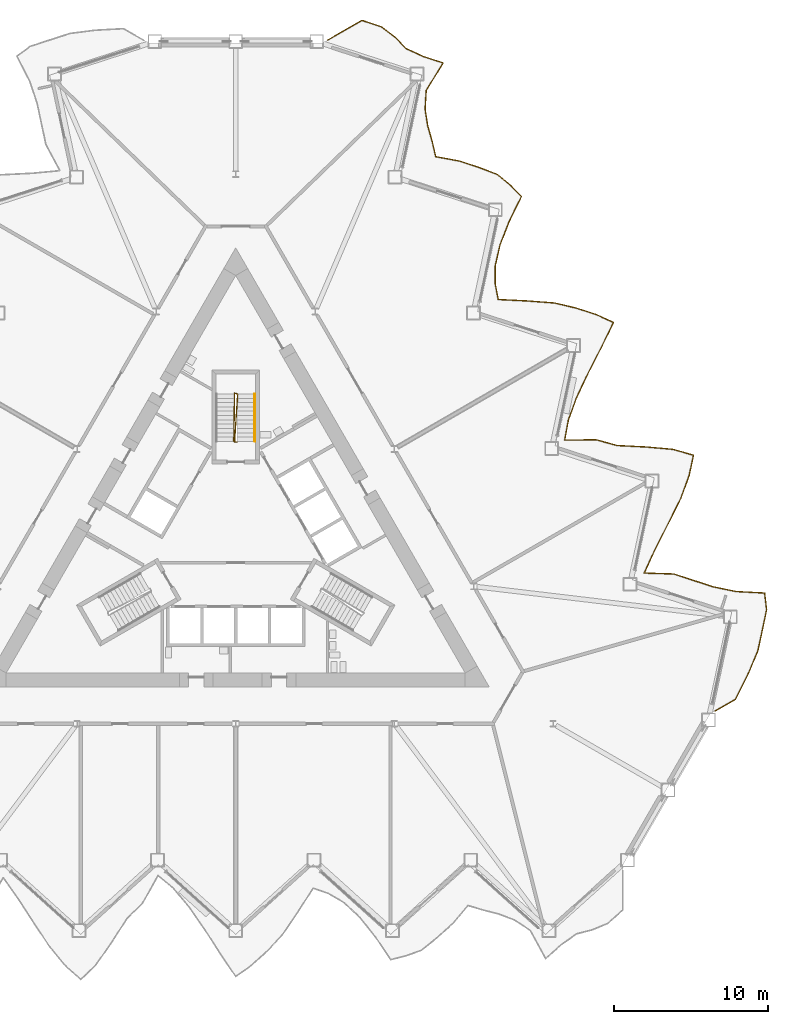
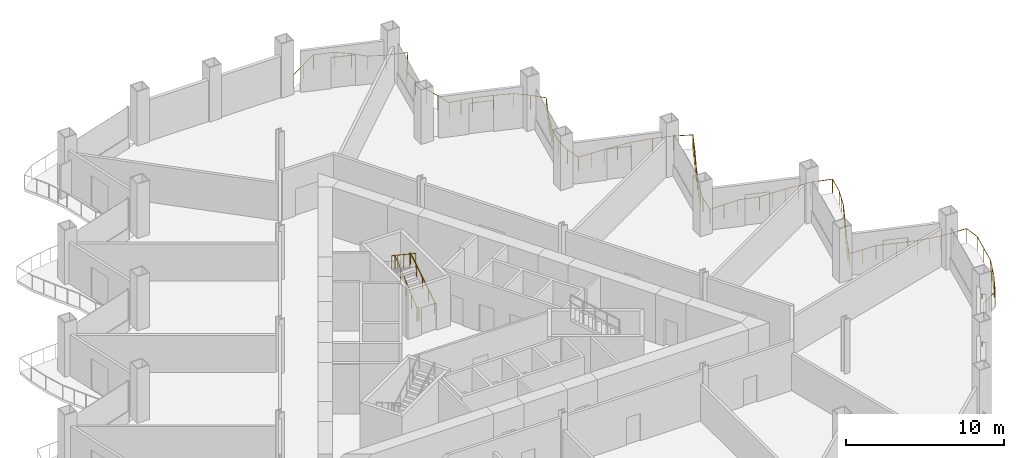
# One storey, part 19 of 21: 3 railings.
"""IFC4 building model written with IfcOpenShell, lengths in metres."""

from ifc_helpers import new_model, si_unit, direction, frame, origin, origin_2d, place, context, subcontext, project, spatial, circle, extrude, material, type_object, element, save


model = new_model("IFC4")

# Units and contexts
model_context = context("Model", 3, precision=1e-05, world=origin(), true_north=direction((0.0, 1.0)))
body_context = subcontext(model_context, "Body", "Model", "MODEL_VIEW")
ifc_project = project(units=[si_unit("LENGTHUNIT", "METRE"), si_unit("AREAUNIT", "SQUARE_METRE"), si_unit("VOLUMEUNIT", "CUBIC_METRE"), si_unit("PLANEANGLEUNIT", "RADIAN"), si_unit("MASSUNIT", "GRAM", prefix="KILO")], contexts=[model_context])

# Site, building, storey
site_placement = place(None, origin())
site = spatial("IfcSite", under=ifc_project, at=site_placement, CompositionType="ELEMENT")
building_placement = place(site_placement, origin())
building = spatial("IfcBuilding", under=site, at=building_placement, Name="Cormorant Prow Tower", CompositionType="ELEMENT")
storey_placement = place(building_placement, frame((0.0, 0.0, 129.0)))
storey = spatial("IfcBuildingStorey", under=building, at=storey_placement, Name="L27", CompositionType="ELEMENT", Elevation=129.0)

# Railings
ifc_material_1 = material(Name="Aluminium 6063-T6", Category="aluminium")
railing_type_1 = type_object("IfcRailingType", Name="Balcony guard 1100", PredefinedType="GUARDRAIL", material=ifc_material_1)
railing_1_placement = place(storey_placement, frame((31.207275390625, -11.1005859375, 0.0)))
element("IfcRailing", 1, at=railing_1_placement, inside=storey, type_object=railing_type_1, Name="Balcony guard ENE", PredefinedType="GUARDRAIL", context=body_context, shape_type="SweptSolid", body=[
    extrude(circle(Radius=0.02392578125, at=origin_2d()), frame((0.0, 0.0, 1.076171875), z_axis=(0.865990296034, 0.500060803479, 0.0), x_axis=(-0.500060803479, 0.865990296034, 0.0)), (0.0, 0.0, 1.0), 1.519775390625),
    extrude(circle(Radius=0.02392578125, at=origin_2d()), frame((1.316162109375, 0.760009765625, 1.076171875), z_axis=(0.451392924981, 0.892325292299, 0.0), x_axis=(-0.892325292299, 0.451392924981, 0.0)), (0.0, 0.0, 1.0), 1.84375),
    extrude(circle(Radius=0.02392578125, at=origin_2d()), frame((2.1484375, 2.4052734375, 1.076171875), z_axis=(0.385615377033, 0.922659623586, 0.0), x_axis=(-0.922659623586, 0.385615377033, 0.0)), (0.0, 0.0, 1.0), 1.663818359375),
    extrude(circle(Radius=0.02392578125, at=origin_2d()), frame((2.7900390625, 3.9404296875, 1.076171875), z_axis=(0.20793189794, 0.978143305359, 0.0), x_axis=(-0.978143305359, 0.20793189794, 0.0)), (0.0, 0.0, 1.0), 1.357421875),
    extrude(circle(Radius=0.02392578125, at=origin_2d()), frame((3.072265625, 5.26806640625, 1.076171875), z_axis=(0.20793189794, 0.978143305359, 0.0), x_axis=(-0.978143305359, 0.20793189794, 0.0)), (0.0, 0.0, 1.0), 1.357421875),
    extrude(circle(Radius=0.02392578125, at=origin_2d()), frame((3.3544921875, 6.595703125, 1.076171875), z_axis=(-0.119048700722, 0.992888416116, 0.0), x_axis=(-0.992888416116, -0.119048700722, 0.0)), (0.0, 0.0, 1.0), 1.09716796875),
    extrude(circle(Radius=0.02392578125, at=origin_2d()), frame((3.223876953125, 7.68505859375, 1.076171875), z_axis=(-0.998614548542, 0.052621131124, 0.0), x_axis=(-0.052621131124, -0.998614548542, 0.0)), (0.0, 0.0, 1.0), 1.851318359375),
    extrude(circle(Radius=0.02392578125, at=origin_2d()), frame((1.375244140625, 7.782470703125, 1.076171875), z_axis=(-0.979712782636, 0.200406745243, 0.0), x_axis=(-0.200406745243, -0.979712782636, 0.0)), (0.0, 0.0, 1.0), 1.520263671875),
    extrude(circle(Radius=0.02392578125, at=origin_2d()), frame((-0.1142578125, 8.087158203125, 1.076171875), z_axis=(-0.95106578465, 0.308988467857, 0.0), x_axis=(-0.308988467857, -0.95106578465, 0.0)), (0.0, 0.0, 1.0), 1.357421875),
    extrude(circle(Radius=0.02392578125, at=origin_2d()), frame((-1.4052734375, 8.506591796875, 1.076171875), z_axis=(-0.951048608924, 0.309041329701, 0.0), x_axis=(-0.309041329701, -0.951048608924, 0.0)), (0.0, 0.0, 1.0), 1.357177734375),
    extrude(circle(Radius=0.02392578125, at=origin_2d()), frame((-2.696044921875, 8.926025390625, 1.076171875), z_axis=(-0.999507836964, 0.031370110729, 0.0), x_axis=(-0.031370110729, -0.999507836964, 0.0)), (0.0, 0.0, 1.0), 1.91455078125),
    extrude(circle(Radius=0.02392578125, at=origin_2d()), frame((-4.609619140625, 8.986083984375, 1.076171875), z_axis=(0.415726590735, 0.90948963807, 0.0), x_axis=(-0.90948963807, 0.415726590735, 0.0)), (0.0, 0.0, 1.0), 1.739501953125),
    extrude(circle(Radius=0.02392578125, at=origin_2d()), frame((-3.886474609375, 10.568115234375, 1.076171875), z_axis=(0.45545157054, 0.890260561236, 0.0), x_axis=(-0.890260561236, 0.45545157054, 0.0)), (0.0, 0.0, 1.0), 1.85693359375),
    extrude(circle(Radius=0.02392578125, at=origin_2d()), frame((-3.040771484375, 12.22119140625, 1.076171875), z_axis=(0.445124600934, 0.895468642468, 0.0), x_axis=(-0.895468642468, 0.445124600934, 0.0)), (0.0, 0.0, 1.0), 1.82421875),
    extrude(circle(Radius=0.02392578125, at=origin_2d()), frame((-2.228759765625, 13.854736328125, 1.076171875), z_axis=(0.343401111987, 0.939188839524, 0.0), x_axis=(-0.939188839524, 0.343401111987, 0.0)), (0.0, 0.0, 1.0), 1.572021484375),
    extrude(circle(Radius=0.02392578125, at=origin_2d()), frame((-1.68896484375, 15.3310546875, 1.076171875), z_axis=(0.20793189794, 0.978143305359, 0.0), x_axis=(-0.978143305359, 0.20793189794, 0.0)), (0.0, 0.0, 1.0), 1.357421875),
    extrude(circle(Radius=0.02392578125, at=origin_2d()), frame((-1.40673828125, 16.65869140625, 1.076171875), z_axis=(-0.962318282404, 0.271925584215, 0.0), x_axis=(-0.271925584215, -0.962318282404, 0.0)), (0.0, 0.0, 1.0), 1.40771484375),
    extrude(circle(Radius=0.02392578125, at=origin_2d()), frame((-2.761474609375, 17.04150390625, 1.076171875), z_axis=(-0.996190400815, 0.087204846907, 0.0), x_axis=(-0.087204846907, -0.996190400815, 0.0)), (0.0, 0.0, 1.0), 1.758056640625),
    extrude(circle(Radius=0.02392578125, at=origin_2d()), frame((-4.512939453125, 17.19482421875, 1.076171875), z_axis=(-0.998782260805, 0.049335539945, 0.0), x_axis=(-0.049335539945, -0.998782260805, 0.0)), (0.0, 0.0, 1.0), 1.860595703125),
    extrude(circle(Radius=0.02392578125, at=origin_2d()), frame((-6.371337890625, 17.28662109375, 1.076171875), z_axis=(-0.96447330574, 0.264180321968, 0.0), x_axis=(-0.264180321968, -0.96447330574, 0.0)), (0.0, 0.0, 1.0), 1.41845703125),
    extrude(circle(Radius=0.02392578125, at=origin_2d()), frame((-7.739501953125, 17.661376953125, 1.076171875), z_axis=(-0.999948928032, -0.010106499273, 0.0), x_axis=(0.010106499273, -0.999948928032, 0.0)), (0.0, 0.0, 1.0), 2.05322265625),
    extrude(circle(Radius=0.02392578125, at=origin_2d()), frame((-9.792724609375, 17.640625, 1.076171875), z_axis=(0.182978187122, 0.983116973222, 0.0), x_axis=(-0.983116973222, 0.182978187122, 0.0)), (0.0, 0.0, 1.0), 1.32763671875),
    extrude(circle(Radius=0.02392578125, at=origin_2d()), frame((-9.5498046875, 18.94580078125, 1.076171875), z_axis=(0.342467233812, 0.939529772687, 0.0), x_axis=(-0.939529772687, 0.342467233812, 0.0)), (0.0, 0.0, 1.0), 1.56982421875),
    extrude(circle(Radius=0.02392578125, at=origin_2d()), frame((-9.01220703125, 20.420654296875, 1.076171875), z_axis=(0.42869500027, 0.903449277349, 0.0), x_axis=(-0.903449277349, 0.42869500027, 0.0)), (0.0, 0.0, 1.0), 1.775634765625),
    extrude(circle(Radius=0.02392578125, at=origin_2d()), frame((-8.2509765625, 22.02490234375, 1.076171875), z_axis=(0.457303588678, 0.889310647514, 0.0), x_axis=(-0.889310647514, 0.457303588678, 0.0)), (0.0, 0.0, 1.0), 1.86279296875),
    extrude(circle(Radius=0.02392578125, at=origin_2d()), frame((-7.399169921875, 23.681396484375, 1.076171875), z_axis=(0.436426755308, 0.899739788634, 0.0), x_axis=(-0.899739788634, 0.436426755308, 0.0)), (0.0, 0.0, 1.0), 1.7978515625),
    extrude(circle(Radius=0.02392578125, at=origin_2d()), frame((-6.614501953125, 25.299072265625, 1.076171875), z_axis=(-0.909642662794, 0.415391653773, 0.0), x_axis=(-0.415391653773, -0.909642662794, 0.0)), (0.0, 0.0, 1.0), 1.23828125),
    extrude(circle(Radius=0.02392578125, at=origin_2d()), frame((-7.740966796875, 25.8134765625, 1.076171875), z_axis=(-0.95106578465, 0.308988467857, 0.0), x_axis=(-0.308988467857, -0.95106578465, 0.0)), (0.0, 0.0, 1.0), 1.357421875),
    extrude(circle(Radius=0.02392578125, at=origin_2d()), frame((-9.031982421875, 26.23291015625, 1.076171875), z_axis=(-0.97374832443, 0.227627328475, 0.0), x_axis=(-0.227627328475, -0.97374832443, 0.0)), (0.0, 0.0, 1.0), 1.474853515625),
    extrude(circle(Radius=0.02392578125, at=origin_2d()), frame((-10.468017578125, 26.568603515625, 1.076171875), z_axis=(-0.997228200016, 0.074403743811, 0.0), x_axis=(-0.074403743811, -0.997228200016, 0.0)), (0.0, 0.0, 1.0), 1.79150390625),
    extrude(circle(Radius=0.02392578125, at=origin_2d()), frame((-12.254638671875, 26.701904296875, 1.076171875), z_axis=(-0.998830477716, 0.048349527257, 0.0), x_axis=(-0.048349527257, -0.998830477716, 0.0)), (0.0, 0.0, 1.0), 1.86328125),
    extrude(circle(Radius=0.02392578125, at=origin_2d()), frame((-14.11572265625, 26.7919921875, 1.076171875), z_axis=(-0.191359769009, 0.981519963528, 0.0), x_axis=(-0.981519963528, -0.191359769009, 0.0)), (0.0, 0.0, 1.0), 1.066650390625),
    extrude(circle(Radius=0.02392578125, at=origin_2d()), frame((-14.31982421875, 27.8388671875, 1.076171875), z_axis=(0.012277950627, 0.999924623123, 0.0), x_axis=(-0.999924623123, 0.012277950627, 0.0)), (0.0, 0.0, 1.0), 1.173095703125),
    extrude(circle(Radius=0.02392578125, at=origin_2d()), frame((-14.305419921875, 29.011962890625, 1.076171875), z_axis=(0.223214723197, 0.974769299552, 0.0), x_axis=(-0.974769299552, 0.223214723197, 0.0)), (0.0, 0.0, 1.0), 1.376953125),
    extrude(circle(Radius=0.02392578125, at=origin_2d()), frame((-13.998046875, 30.354248046875, 1.076171875), z_axis=(0.366291211804, 0.930500267681, 0.0), x_axis=(-0.930500267681, 0.366291211804, 0.0)), (0.0, 0.0, 1.0), 1.61962890625),
    extrude(circle(Radius=0.02392578125, at=origin_2d()), frame((-13.40478515625, 31.861328125, 1.076171875), z_axis=(0.439193160602, 0.898392657851, 0.0), x_axis=(-0.898392657851, 0.439193160602, 0.0)), (0.0, 0.0, 1.0), 1.80615234375),
    extrude(circle(Radius=0.02392578125, at=origin_2d()), frame((-12.611572265625, 33.48388671875, 1.076171875), z_axis=(-0.694791435855, 0.719211276791, 0.0), x_axis=(-0.719211276791, -0.694791435855, 0.0)), (0.0, 0.0, 1.0), 1.039794921875),
    extrude(circle(Radius=0.02392578125, at=origin_2d()), frame((-13.333984375, 34.231689453125, 1.076171875), z_axis=(-0.765754160623, 0.64313339634, 0.0), x_axis=(-0.64313339634, -0.765754160623, 0.0)), (0.0, 0.0, 1.0), 1.0732421875),
    extrude(circle(Radius=0.02392578125, at=origin_2d()), frame((-14.15576171875, 34.921875, 1.076171875), z_axis=(-0.93327766903, 0.359155666097, 0.0), x_axis=(-0.359155666097, -0.93327766903, 0.0)), (0.0, 0.0, 1.0), 1.296875),
    extrude(circle(Radius=0.02392578125, at=origin_2d()), frame((-15.3662109375, 35.3876953125, 1.076171875), z_axis=(-0.951048608924, 0.309041329701, 0.0), x_axis=(-0.309041329701, -0.951048608924, 0.0)), (0.0, 0.0, 1.0), 1.357177734375),
    extrude(circle(Radius=0.02392578125, at=origin_2d()), frame((-16.656982421875, 35.80712890625, 1.076171875), z_axis=(-0.983273667202, 0.182134278454, 0.0), x_axis=(-0.182134278454, -0.983273667202, 0.0)), (0.0, 0.0, 1.0), 1.553466796875),
    extrude(circle(Radius=0.02392578125, at=origin_2d()), frame((-18.1845703125, 36.090087890625, 1.076171875), z_axis=(-0.229969566072, 0.973197820939, 0.0), x_axis=(-0.973197820939, -0.229969566072, 0.0)), (0.0, 0.0, 1.0), 1.05322265625),
    extrude(circle(Radius=0.02392578125, at=origin_2d()), frame((-18.4267578125, 37.114990234375, 1.076171875), z_axis=(-0.272179004707, 0.962246636469, 0.0), x_axis=(-0.962246636469, -0.272179004707, 0.0)), (0.0, 0.0, 1.0), 1.04052734375),
    extrude(circle(Radius=0.02392578125, at=origin_2d()), frame((-18.7099609375, 38.1162109375, 1.076171875), z_axis=(-0.154941834834, 0.98792359412, 0.0), x_axis=(-0.98792359412, -0.154941834834, 0.0)), (0.0, 0.0, 1.0), 1.080810546875),
    extrude(circle(Radius=0.02392578125, at=origin_2d()), frame((-18.87744140625, 39.18408203125, 1.076171875), z_axis=(0.060178013957, 0.998187661032, 0.0), x_axis=(-0.998187661032, 0.060178013957, 0.0)), (0.0, 0.0, 1.0), 1.208984375),
    extrude(circle(Radius=0.02392578125, at=origin_2d()), frame((-18.8046875, 40.390869140625, 1.076171875), z_axis=(0.521173584421, 0.853450698577, 0.0), x_axis=(-0.853450698577, 0.521173584421, 0.0)), (0.0, 0.0, 1.0), 2.10791015625),
    extrude(circle(Radius=0.02392578125, at=origin_2d()), frame((-17.7060546875, 42.18994140625, 1.076171875), z_axis=(-0.95106578465, 0.308988467857, 0.0), x_axis=(-0.308988467857, -0.95106578465, 0.0)), (0.0, 0.0, 1.0), 1.357421875),
    extrude(circle(Radius=0.02392578125, at=origin_2d()), frame((-18.9970703125, 42.609375, 1.076171875), z_axis=(-0.90718713922, 0.420727339774, 0.0), x_axis=(-0.420727339774, -0.90718713922, 0.0)), (0.0, 0.0, 1.0), 1.233154296875),
    extrude(circle(Radius=0.02392578125, at=origin_2d()), frame((-20.11572265625, 43.128173828125, 1.076171875), z_axis=(-0.70110619683, 0.71305687064, 0.0), x_axis=(-0.71305687064, -0.70110619683, 0.0)), (0.0, 0.0, 1.0), 1.0419921875),
    extrude(circle(Radius=0.02392578125, at=origin_2d()), frame((-20.84619140625, 43.87109375, 1.076171875), z_axis=(-0.790629243767, 0.61229518935, 0.0), x_axis=(-0.61229518935, -0.790629243767, 0.0)), (0.0, 0.0, 1.0), 1.08984375),
    extrude(circle(Radius=0.02392578125, at=origin_2d()), frame((-21.707763671875, 44.538330078125, 1.076171875), z_axis=(-0.949582418545, 0.313517512095, 0.0), x_axis=(-0.313517512095, -0.949582418545, 0.0)), (0.0, 0.0, 1.0), 1.351806640625),
    extrude(circle(Radius=0.02392578125, at=origin_2d()), frame((-22.991455078125, 44.962158203125, 1.076171875), z_axis=(-0.86598941085, -0.50006233641, 0.0), x_axis=(0.50006233641, -0.86598941085, 0.0)), (0.0, 0.0, 1.0), 2.570068359375),
    extrude(circle(Radius=0.02099609375, at=origin_2d()), origin(), (0.0, 0.0, 1.0), 1.052001953125),
    extrude(circle(Radius=0.02099609375, at=origin_2d()), frame((0.658203125, 0.3798828125, 0.0)), (0.0, 0.0, 1.0), 1.052001953125),
    extrude(circle(Radius=0.02099609375, at=origin_2d()), frame((1.316162109375, 0.760009765625, 0.0)), (0.0, 0.0, 1.0), 1.052001953125),
    extrude(circle(Radius=0.02099609375, at=origin_2d()), frame((1.732421875, 1.58251953125, 0.0)), (0.0, 0.0, 1.0), 1.052001953125),
    extrude(circle(Radius=0.02099609375, at=origin_2d()), frame((2.1484375, 2.4052734375, 0.0)), (0.0, 0.0, 1.0), 1.052001953125),
    extrude(circle(Radius=0.02099609375, at=origin_2d()), frame((2.46923828125, 3.1728515625, 0.0)), (0.0, 0.0, 1.0), 1.052001953125),
    extrude(circle(Radius=0.02099609375, at=origin_2d()), frame((2.7900390625, 3.9404296875, 0.0)), (0.0, 0.0, 1.0), 1.052001953125),
    extrude(circle(Radius=0.02099609375, at=origin_2d()), frame((3.072265625, 5.26806640625, 0.0)), (0.0, 0.0, 1.0), 1.052001953125),
    extrude(circle(Radius=0.02099609375, at=origin_2d()), frame((3.3544921875, 6.595703125, 0.0)), (0.0, 0.0, 1.0), 1.052001953125),
    extrude(circle(Radius=0.02099609375, at=origin_2d()), frame((3.223876953125, 7.68505859375, 0.0)), (0.0, 0.0, 1.0), 1.052001953125),
    extrude(circle(Radius=0.02099609375, at=origin_2d()), frame((2.299560546875, 7.73388671875, 0.0)), (0.0, 0.0, 1.0), 1.052001953125),
    extrude(circle(Radius=0.02099609375, at=origin_2d()), frame((1.375244140625, 7.782470703125, 0.0)), (0.0, 0.0, 1.0), 1.052001953125),
    extrude(circle(Radius=0.02099609375, at=origin_2d()), frame((0.63037109375, 7.934814453125, 0.0)), (0.0, 0.0, 1.0), 1.052001953125),
    extrude(circle(Radius=0.02099609375, at=origin_2d()), frame((-0.1142578125, 8.087158203125, 0.0)), (0.0, 0.0, 1.0), 1.052001953125),
    extrude(circle(Radius=0.02099609375, at=origin_2d()), frame((-1.4052734375, 8.506591796875, 0.0)), (0.0, 0.0, 1.0), 1.052001953125),
    extrude(circle(Radius=0.02099609375, at=origin_2d()), frame((-2.696044921875, 8.926025390625, 0.0)), (0.0, 0.0, 1.0), 1.052001953125),
    extrude(circle(Radius=0.02099609375, at=origin_2d()), frame((-3.65283203125, 8.9560546875, 0.0)), (0.0, 0.0, 1.0), 1.052001953125),
    extrude(circle(Radius=0.02099609375, at=origin_2d()), frame((-4.609619140625, 8.986083984375, 0.0)), (0.0, 0.0, 1.0), 1.052001953125),
    extrude(circle(Radius=0.02099609375, at=origin_2d()), frame((-4.248046875, 9.777099609375, 0.0)), (0.0, 0.0, 1.0), 1.052001953125),
    extrude(circle(Radius=0.02099609375, at=origin_2d()), frame((-3.886474609375, 10.568115234375, 0.0)), (0.0, 0.0, 1.0), 1.052001953125),
    extrude(circle(Radius=0.02099609375, at=origin_2d()), frame((-3.463623046875, 11.39453125, 0.0)), (0.0, 0.0, 1.0), 1.052001953125),
    extrude(circle(Radius=0.02099609375, at=origin_2d()), frame((-3.040771484375, 12.22119140625, 0.0)), (0.0, 0.0, 1.0), 1.052001953125),
    extrude(circle(Radius=0.02099609375, at=origin_2d()), frame((-2.634765625, 13.0380859375, 0.0)), (0.0, 0.0, 1.0), 1.052001953125),
    extrude(circle(Radius=0.02099609375, at=origin_2d()), frame((-2.228759765625, 13.854736328125, 0.0)), (0.0, 0.0, 1.0), 1.052001953125),
    extrude(circle(Radius=0.02099609375, at=origin_2d()), frame((-1.958984375, 14.5927734375, 0.0)), (0.0, 0.0, 1.0), 1.052001953125),
    extrude(circle(Radius=0.02099609375, at=origin_2d()), frame((-1.68896484375, 15.3310546875, 0.0)), (0.0, 0.0, 1.0), 1.052001953125),
    extrude(circle(Radius=0.02099609375, at=origin_2d()), frame((-1.40673828125, 16.65869140625, 0.0)), (0.0, 0.0, 1.0), 1.052001953125),
    extrude(circle(Radius=0.02099609375, at=origin_2d()), frame((-2.761474609375, 17.04150390625, 0.0)), (0.0, 0.0, 1.0), 1.052001953125),
    extrude(circle(Radius=0.02099609375, at=origin_2d()), frame((-3.63720703125, 17.1181640625, 0.0)), (0.0, 0.0, 1.0), 1.052001953125),
    extrude(circle(Radius=0.02099609375, at=origin_2d()), frame((-4.512939453125, 17.19482421875, 0.0)), (0.0, 0.0, 1.0), 1.052001953125),
    extrude(circle(Radius=0.02099609375, at=origin_2d()), frame((-5.442138671875, 17.24072265625, 0.0)), (0.0, 0.0, 1.0), 1.052001953125),
    extrude(circle(Radius=0.02099609375, at=origin_2d()), frame((-6.371337890625, 17.28662109375, 0.0)), (0.0, 0.0, 1.0), 1.052001953125),
    extrude(circle(Radius=0.02099609375, at=origin_2d()), frame((-7.739501953125, 17.661376953125, 0.0)), (0.0, 0.0, 1.0), 1.052001953125),
    extrude(circle(Radius=0.02099609375, at=origin_2d()), frame((-8.76611328125, 17.65087890625, 0.0)), (0.0, 0.0, 1.0), 1.052001953125),
    extrude(circle(Radius=0.02099609375, at=origin_2d()), frame((-9.792724609375, 17.640625, 0.0)), (0.0, 0.0, 1.0), 1.052001953125),
    extrude(circle(Radius=0.02099609375, at=origin_2d()), frame((-9.5498046875, 18.94580078125, 0.0)), (0.0, 0.0, 1.0), 1.052001953125),
    extrude(circle(Radius=0.02099609375, at=origin_2d()), frame((-9.281005859375, 19.68310546875, 0.0)), (0.0, 0.0, 1.0), 1.052001953125),
    extrude(circle(Radius=0.02099609375, at=origin_2d()), frame((-9.01220703125, 20.420654296875, 0.0)), (0.0, 0.0, 1.0), 1.052001953125),
    extrude(circle(Radius=0.02099609375, at=origin_2d()), frame((-8.631591796875, 21.22265625, 0.0)), (0.0, 0.0, 1.0), 1.052001953125),
    extrude(circle(Radius=0.02099609375, at=origin_2d()), frame((-8.2509765625, 22.02490234375, 0.0)), (0.0, 0.0, 1.0), 1.052001953125),
    extrude(circle(Radius=0.02099609375, at=origin_2d()), frame((-7.8251953125, 22.85302734375, 0.0)), (0.0, 0.0, 1.0), 1.052001953125),
    extrude(circle(Radius=0.02099609375, at=origin_2d()), frame((-7.399169921875, 23.681396484375, 0.0)), (0.0, 0.0, 1.0), 1.052001953125),
    extrude(circle(Radius=0.02099609375, at=origin_2d()), frame((-7.0068359375, 24.490234375, 0.0)), (0.0, 0.0, 1.0), 1.052001953125),
    extrude(circle(Radius=0.02099609375, at=origin_2d()), frame((-6.614501953125, 25.299072265625, 0.0)), (0.0, 0.0, 1.0), 1.052001953125),
    extrude(circle(Radius=0.02099609375, at=origin_2d()), frame((-7.740966796875, 25.8134765625, 0.0)), (0.0, 0.0, 1.0), 1.052001953125),
    extrude(circle(Radius=0.02099609375, at=origin_2d()), frame((-9.031982421875, 26.23291015625, 0.0)), (0.0, 0.0, 1.0), 1.052001953125),
    extrude(circle(Radius=0.02099609375, at=origin_2d()), frame((-10.468017578125, 26.568603515625, 0.0)), (0.0, 0.0, 1.0), 1.052001953125),
    extrude(circle(Radius=0.02099609375, at=origin_2d()), frame((-11.361328125, 26.63525390625, 0.0)), (0.0, 0.0, 1.0), 1.052001953125),
    extrude(circle(Radius=0.02099609375, at=origin_2d()), frame((-12.254638671875, 26.701904296875, 0.0)), (0.0, 0.0, 1.0), 1.052001953125),
    extrude(circle(Radius=0.02099609375, at=origin_2d()), frame((-13.18505859375, 26.7470703125, 0.0)), (0.0, 0.0, 1.0), 1.052001953125),
    extrude(circle(Radius=0.02099609375, at=origin_2d()), frame((-14.11572265625, 26.7919921875, 0.0)), (0.0, 0.0, 1.0), 1.052001953125),
    extrude(circle(Radius=0.02099609375, at=origin_2d()), frame((-14.31982421875, 27.8388671875, 0.0)), (0.0, 0.0, 1.0), 1.052001953125),
    extrude(circle(Radius=0.02099609375, at=origin_2d()), frame((-14.305419921875, 29.011962890625, 0.0)), (0.0, 0.0, 1.0), 1.052001953125),
    extrude(circle(Radius=0.02099609375, at=origin_2d()), frame((-13.998046875, 30.354248046875, 0.0)), (0.0, 0.0, 1.0), 1.052001953125),
    extrude(circle(Radius=0.02099609375, at=origin_2d()), frame((-13.701416015625, 31.10791015625, 0.0)), (0.0, 0.0, 1.0), 1.052001953125),
    extrude(circle(Radius=0.02099609375, at=origin_2d()), frame((-13.40478515625, 31.861328125, 0.0)), (0.0, 0.0, 1.0), 1.052001953125),
    extrude(circle(Radius=0.02099609375, at=origin_2d()), frame((-13.00830078125, 32.672607421875, 0.0)), (0.0, 0.0, 1.0), 1.052001953125),
    extrude(circle(Radius=0.02099609375, at=origin_2d()), frame((-12.611572265625, 33.48388671875, 0.0)), (0.0, 0.0, 1.0), 1.052001953125),
    extrude(circle(Radius=0.02099609375, at=origin_2d()), frame((-13.333984375, 34.231689453125, 0.0)), (0.0, 0.0, 1.0), 1.052001953125),
    extrude(circle(Radius=0.02099609375, at=origin_2d()), frame((-14.15576171875, 34.921875, 0.0)), (0.0, 0.0, 1.0), 1.052001953125),
    extrude(circle(Radius=0.02099609375, at=origin_2d()), frame((-15.3662109375, 35.3876953125, 0.0)), (0.0, 0.0, 1.0), 1.052001953125),
    extrude(circle(Radius=0.02099609375, at=origin_2d()), frame((-16.656982421875, 35.80712890625, 0.0)), (0.0, 0.0, 1.0), 1.052001953125),
    extrude(circle(Radius=0.02099609375, at=origin_2d()), frame((-17.4208984375, 35.94873046875, 0.0)), (0.0, 0.0, 1.0), 1.052001953125),
    extrude(circle(Radius=0.02099609375, at=origin_2d()), frame((-18.1845703125, 36.090087890625, 0.0)), (0.0, 0.0, 1.0), 1.052001953125),
    extrude(circle(Radius=0.02099609375, at=origin_2d()), frame((-18.4267578125, 37.114990234375, 0.0)), (0.0, 0.0, 1.0), 1.052001953125),
    extrude(circle(Radius=0.02099609375, at=origin_2d()), frame((-18.7099609375, 38.1162109375, 0.0)), (0.0, 0.0, 1.0), 1.052001953125),
    extrude(circle(Radius=0.02099609375, at=origin_2d()), frame((-18.87744140625, 39.18408203125, 0.0)), (0.0, 0.0, 1.0), 1.052001953125),
    extrude(circle(Radius=0.02099609375, at=origin_2d()), frame((-18.8046875, 40.390869140625, 0.0)), (0.0, 0.0, 1.0), 1.052001953125),
    extrude(circle(Radius=0.02099609375, at=origin_2d()), frame((-18.25537109375, 41.29052734375, 0.0)), (0.0, 0.0, 1.0), 1.052001953125),
    extrude(circle(Radius=0.02099609375, at=origin_2d()), frame((-17.7060546875, 42.18994140625, 0.0)), (0.0, 0.0, 1.0), 1.052001953125),
    extrude(circle(Radius=0.02099609375, at=origin_2d()), frame((-18.9970703125, 42.609375, 0.0)), (0.0, 0.0, 1.0), 1.052001953125),
    extrude(circle(Radius=0.02099609375, at=origin_2d()), frame((-20.11572265625, 43.128173828125, 0.0)), (0.0, 0.0, 1.0), 1.052001953125),
    extrude(circle(Radius=0.02099609375, at=origin_2d()), frame((-20.84619140625, 43.87109375, 0.0)), (0.0, 0.0, 1.0), 1.052001953125),
    extrude(circle(Radius=0.02099609375, at=origin_2d()), frame((-21.707763671875, 44.538330078125, 0.0)), (0.0, 0.0, 1.0), 1.052001953125),
    extrude(circle(Radius=0.02099609375, at=origin_2d()), frame((-22.991455078125, 44.962158203125, 0.0)), (0.0, 0.0, 1.0), 1.052001953125),
    extrude(circle(Radius=0.02099609375, at=origin_2d()), frame((-24.104248046875, 44.319580078125, 0.0)), (0.0, 0.0, 1.0), 1.052001953125),
    extrude(circle(Radius=0.02099609375, at=origin_2d()), frame((-25.217041015625, 43.677001953125, 0.0)), (0.0, 0.0, 1.0), 1.052001953125),
])
ifc_material_2 = material(Name="Stainless steel", Category="steel")
railing_type_2 = type_object("IfcRailingType", Name="Stair guard 1100", PredefinedType="GUARDRAIL", material=ifc_material_2)
railing_2_placement = place(storey_placement, frame((0.074951171875, 6.40576171875, 0.0)))
element("IfcRailing", 2, at=railing_2_placement, inside=storey, type_object=railing_type_2, Name="L27 ST3 stair guard 1", PredefinedType="GUARDRAIL", context=body_context, shape_type="SweptSolid", body=[
    extrude(circle(Radius=0.02392578125, at=origin_2d()), frame((0.0, 0.0, 1.076171875), z_axis=(-1.0, 0.0, 0.0), x_axis=(0.0, -1.0, 0.0)), (0.0, 0.0, 1.0), 0.14990234375),
    extrude(circle(Radius=0.02392578125, at=origin_2d()), frame((-0.14990234375, 0.0, 1.076171875), z_axis=(0.052971918151, 0.829246596605, 0.556366837532), x_axis=(-0.997965923181, 0.063749636618, 0.0)), (0.0, 0.0, 1.0), 3.774658203125),
    extrude(circle(Radius=0.02392578125, at=origin_2d()), frame((0.050048828125, 3.130126953125, 3.17626953125), z_axis=(-0.970072785993, 0.242814311512, 0.0), x_axis=(-0.242814311512, -0.970072785993, 0.0)), (0.0, 0.0, 1.0), 0.2060546875),
    extrude(circle(Radius=0.02392578125, at=origin_2d()), frame((-0.14990234375, 3.18017578125, 3.17626953125), z_axis=(-0.013277099958, -0.830369261271, 0.557055301162), x_axis=(0.999872194171, -0.015987348866, 0.0)), (0.0, 0.0, 1.0), 3.76953125),
    extrude(circle(Radius=0.02099609375, at=origin_2d()), origin(), (0.0, 0.0, 1.0), 1.052001953125),
    extrude(circle(Radius=0.02099609375, at=origin_2d()), frame((-0.14990234375, 0.0, 0.0)), (0.0, 0.0, 1.0), 1.052001953125),
    extrude(circle(Radius=0.02099609375, at=origin_2d()), frame((-0.099853515625, 0.782470703125, 0.52490234375)), (0.0, 0.0, 1.0), 1.052001953125),
    extrude(circle(Radius=0.02099609375, at=origin_2d()), frame((-0.0498046875, 1.56494140625, 1.050048828125)), (0.0, 0.0, 1.0), 1.052001953125),
    extrude(circle(Radius=0.02099609375, at=origin_2d()), frame((0.0, 2.34765625, 1.5751953125)), (0.0, 0.0, 1.0), 1.052001953125),
    extrude(circle(Radius=0.02099609375, at=origin_2d()), frame((0.050048828125, 3.130126953125, 2.10009765625)), (0.0, 0.0, 1.0), 1.052001953125),
    extrude(circle(Radius=0.02099609375, at=origin_2d()), frame((-0.14990234375, 3.18017578125, 2.10009765625)), (0.0, 0.0, 1.0), 1.052001953125),
    extrude(circle(Radius=0.02099609375, at=origin_2d()), frame((-0.162353515625, 2.397705078125, 2.625)), (0.0, 0.0, 1.0), 1.052001953125),
    extrude(circle(Radius=0.02099609375, at=origin_2d()), frame((-0.1748046875, 1.615234375, 3.14990234375)), (0.0, 0.0, 1.0), 1.052001953125),
    extrude(circle(Radius=0.02099609375, at=origin_2d()), frame((-0.1875, 0.83251953125, 3.675048828125)), (0.0, 0.0, 1.0), 1.052001953125),
    extrude(circle(Radius=0.02099609375, at=origin_2d()), frame((-0.199951171875, 0.050048828125, 4.199951171875)), (0.0, 0.0, 1.0), 1.052001953125),
])
ifc_material_3 = material(Name="Stainless steel", Category="steel")
railing_type_3 = type_object("IfcRailingType", Name="Stair handrail 900", PredefinedType="HANDRAIL", material=ifc_material_3)
railing_3_placement = place(storey_placement, frame((1.243896484375, 6.455810546875, 0.175048828125)))
element("IfcRailing", 3, at=railing_3_placement, inside=storey, type_object=railing_type_3, Name="L27 ST3 stair handrail 1", PredefinedType="HANDRAIL", context=body_context, shape_type="SweptSolid", body=[
    extrude(circle(Radius=0.02392578125, at=origin_2d()), frame((0.0, 0.0, 0.8759765625), z_axis=(0.0, 0.847998304005, 0.529998940003), x_axis=(-1.0, 0.0, 0.0)), (0.0, 0.0, 1.0), 3.632080078125),
    extrude(circle(Radius=0.02099609375, at=origin_2d()), origin(), (0.0, 0.0, 1.0), 0.851806640625),
    extrude(circle(Radius=0.02099609375, at=origin_2d()), frame((0.0, 0.77001953125, 0.481201171875)), (0.0, 0.0, 1.0), 0.851806640625),
    extrude(circle(Radius=0.02099609375, at=origin_2d()), frame((0.0, 1.5400390625, 0.96240234375)), (0.0, 0.0, 1.0), 0.851806640625),
    extrude(circle(Radius=0.02099609375, at=origin_2d()), frame((0.0, 2.31005859375, 1.44384765625)), (0.0, 0.0, 1.0), 0.851806640625),
    extrude(circle(Radius=0.02099609375, at=origin_2d()), frame((0.0, 3.080078125, 1.925048828125)), (0.0, 0.0, 1.0), 0.851806640625),
])

save(model, "model.ifc")
